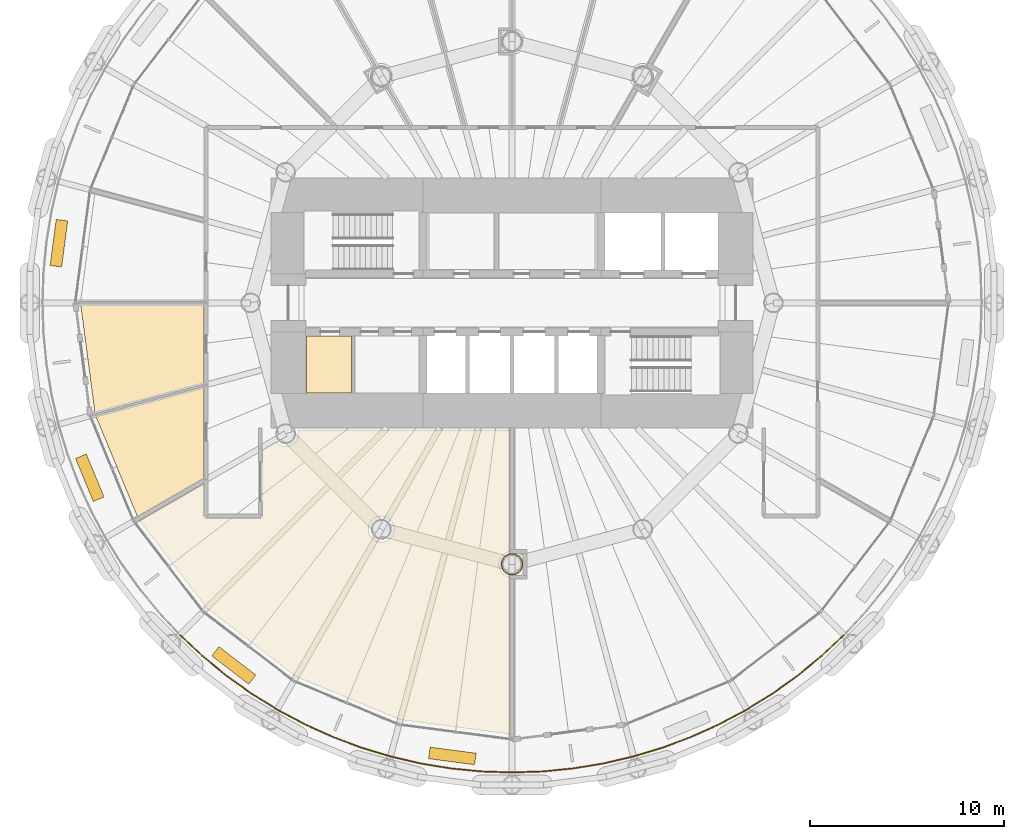
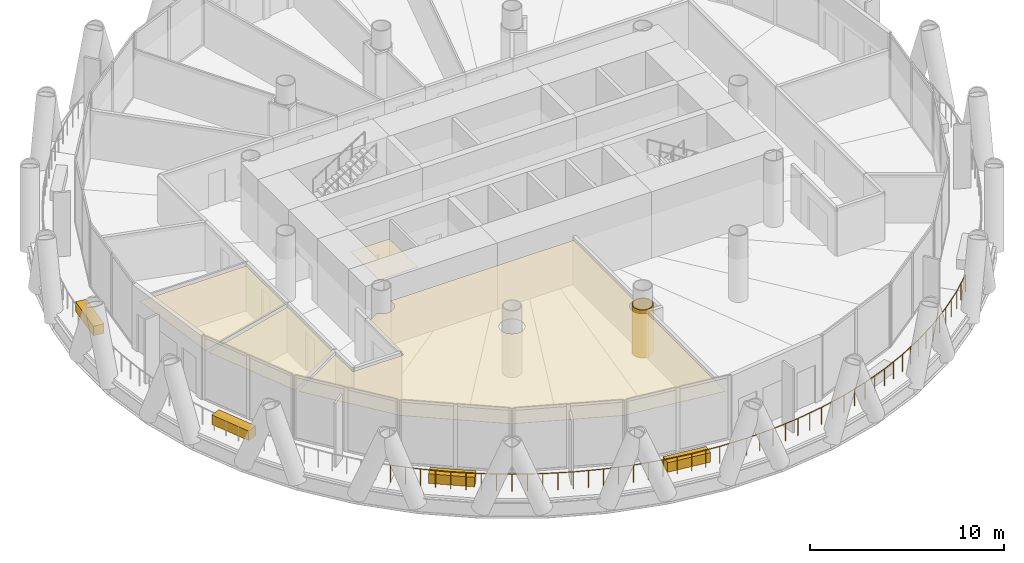
# One storey, part 13 of 16: 9 coverings, 1 railing.
"""IFC4 building model written with IfcOpenShell, lengths in metres."""

import ifcopenshell
import ifcopenshell.guid

model = None  # the IFC model being written
_history = None  # IfcOwnerHistory: only IFC2X3 demands one
_inside = {}  # id of a spatial element -> (the spatial element, [elements in it])
_under = {}  # id of a project, library or spatial element -> (it, [spatial elements below it])
_declared = {}  # id of a project -> (the project, [libraries it declares])
_typed = {}  # id of a type object -> (the type object, [elements of that type])
_made_of = {}  # id of a material, layer set ... -> (it, [elements and type objects made of it])


def new_model(schema):
    """Start an empty IFC model of exactly this schema.

    Asked for "IFC4X3", IfcOpenShell would pick the latest addendum, in which some entities
    have other attributes; the version numbers below select the first issue.
    IFC2X3 requires an IfcOwnerHistory on every rooted entity: one is made here for all.
    """
    global model, _history
    if schema == "IFC4X3":
        model = ifcopenshell.file(schema_version=(4, 3, 0, 0))
    else:
        model = ifcopenshell.file(schema=schema)
    _inside.clear()
    _under.clear()
    _declared.clear()
    _typed.clear()
    _made_of.clear()
    _history = None
    if model.schema == "IFC2X3":
        org = make("IfcOrganization", Name="unknown")
        user = make(
            "IfcPersonAndOrganization",
            ThePerson=make("IfcPerson", FamilyName="unknown"),
            TheOrganization=org,
        )
        app = make(
            "IfcApplication",
            ApplicationDeveloper=org,
            Version="unknown",
            ApplicationFullName="unknown",
            ApplicationIdentifier="unknown",
        )
        _history = make(
            "IfcOwnerHistory",
            OwningUser=user,
            OwningApplication=app,
            ChangeAction="ADDED",
            CreationDate=0,
        )
    return model


def make(cls, **values):
    """One entity of the class cls with the attributes given. An attribute that is None is left unset."""
    return model.create_entity(
        cls, **{name: value for name, value in values.items() if value is not None}
    )


def rooted(cls, **values):
    """An entity with a GlobalId (a new one), such as an element, a storey or a relation."""
    return make(cls, GlobalId=ifcopenshell.guid.new(), OwnerHistory=_history, **values)


def si_unit(unit_type, name, prefix=None):
    """IfcSIUnit, for example si_unit("LENGTHUNIT", "METRE", prefix="MILLI")."""
    return make("IfcSIUnit", UnitType=unit_type, Prefix=prefix, Name=name)


def assignment(units):
    """IfcUnitAssignment: the units of a project."""
    return None if units is None else make("IfcUnitAssignment", Units=units)


def point(xyz):
    """IfcCartesianPoint."""
    return None if xyz is None else make("IfcCartesianPoint", Coordinates=xyz)


def direction(xyz):
    """IfcDirection."""
    return None if xyz is None else make("IfcDirection", DirectionRatios=xyz)


def frame(location, z_axis=None, x_axis=None):
    """IfcAxis2Placement3D, a coordinate frame: its origin and axes. An axis left out is left unset."""
    return make(
        "IfcAxis2Placement3D",
        Location=point(location),
        Axis=direction(z_axis),
        RefDirection=direction(x_axis),
    )


def frame_2d(location, x_axis=None):
    """IfcAxis2Placement2D, a coordinate frame in the plane: its origin and x axis."""
    return make(
        "IfcAxis2Placement2D", Location=point(location), RefDirection=direction(x_axis)
    )


def origin():
    """The frame at (0, 0, 0) with its axes left unset."""
    return frame((0.0, 0.0, 0.0))


def origin_2d():
    """The frame at (0, 0) in the plane with its x axis left unset."""
    return frame_2d((0.0, 0.0))


def place(relative_to, where):
    """IfcLocalPlacement: puts the frame where relative to a parent placement (None: the world)."""
    return make(
        "IfcLocalPlacement", PlacementRelTo=relative_to, RelativePlacement=where
    )


def context(
    kind, dimensions, precision=None, world=None, true_north=None, identifier=None
):
    """IfcGeometricRepresentationContext, for example the 3D "Model" context."""
    return make(
        "IfcGeometricRepresentationContext",
        ContextIdentifier=identifier,
        ContextType=kind,
        CoordinateSpaceDimension=dimensions,
        Precision=precision,
        WorldCoordinateSystem=world,
        TrueNorth=true_north,
    )


def subcontext(parent, identifier, kind, view, scale=None):
    """IfcGeometricRepresentationSubContext, for example "Body" below "Model"."""
    return make(
        "IfcGeometricRepresentationSubContext",
        ContextIdentifier=identifier,
        ContextType=kind,
        ParentContext=parent,
        TargetScale=scale,
        TargetView=view,
    )


def project(units=None, contexts=None):
    """IfcProject with its units and contexts."""
    return rooted(
        "IfcProject",
        Name="project",
        RepresentationContexts=contexts,
        UnitsInContext=assignment(units),
    )


def spatial(cls, under=None, at=None, **own):
    """A site, building, storey or space (cls), placed at a placement, below another one or the project."""
    s = rooted(cls, ObjectPlacement=at, **own)
    if under is not None:
        _under.setdefault(under.id(), (under, []))[1].append(s)
    return s


def polyline(points):
    """IfcPolyline through the points."""
    return make("IfcPolyline", Points=[point(p) for p in points])


def profile(cls, at=None, kind="AREA", **sizes):
    """A parametric profile (cls). Its sizes go by their IFC names, for example OverallWidth=200.0."""
    return make(cls, ProfileType=kind, Position=at, **sizes)


def rectangle(**sizes):
    """IfcRectangleProfileDef."""
    return profile("IfcRectangleProfileDef", **sizes)


def circle(**sizes):
    """IfcCircleProfileDef."""
    return profile("IfcCircleProfileDef", **sizes)


def outline(outer, holes=None, kind="AREA"):
    """IfcArbitraryClosedProfileDef: a profile drawn as a closed curve; with holes, ...WithVoids."""
    if holes is None:
        return make("IfcArbitraryClosedProfileDef", ProfileType=kind, OuterCurve=outer)
    return make(
        "IfcArbitraryProfileDefWithVoids",
        ProfileType=kind,
        OuterCurve=outer,
        InnerCurves=holes,
    )


def extrude(swept, where, along, depth):
    """IfcExtrudedAreaSolid: the profile swept, set in the frame where, extruded along a direction by depth."""
    return make(
        "IfcExtrudedAreaSolid",
        SweptArea=swept,
        Position=where,
        ExtrudedDirection=direction(along),
        Depth=depth,
    )


def shape(context_of_items, identifier, shape_type, items):
    """IfcShapeRepresentation: the items that make up one representation, for example the "Body"."""
    return make(
        "IfcShapeRepresentation",
        ContextOfItems=context_of_items,
        RepresentationIdentifier=identifier,
        RepresentationType=shape_type,
        Items=items,
    )


def material(Name=None, Category=None):
    """IfcMaterial."""
    return make("IfcMaterial", Name=Name, Category=Category)


def layer(
    of_material, thickness, ventilated=None, Name=None, Category=None, Priority=None
):
    """IfcMaterialLayer: one layer of a wall or slab, of a material (None: an air gap)."""
    return make(
        "IfcMaterialLayer",
        Material=of_material,
        LayerThickness=thickness,
        IsVentilated=ventilated,
        Name=Name,
        Category=Category,
        Priority=Priority,
    )


def layer_set(layers, Name=None):
    """IfcMaterialLayerSet."""
    return make("IfcMaterialLayerSet", MaterialLayers=layers, LayerSetName=Name)


def made_of(thing, what):
    """Note that an element or type object is made of a material, layer set ...; save() writes the relation."""
    if what is not None:
        _made_of.setdefault(what.id(), (what, []))[1].append(thing)
    return thing


def type_object(cls, material=None, **own):
    """A type object (cls), such as IfcWallType, which elements share."""
    return made_of(rooted(cls, **own), material)


def element(
    cls,
    number,
    at=None,
    inside=None,
    cuts=None,
    type_object=None,
    material=None,
    context=None,
    identifier="Body",
    shape_type=None,
    held_by="IfcProductDefinitionShape",
    body=None,
    shapes=None,
    **own,
):
    """One element of the class cls, such as IfcWall. Its Tag is "e" and its number.

    at: its placement. inside: the storey or other place that contains it. cuts: it is an
    opening in that element (IfcRelVoidsElement). A single representation is given by context,
    identifier, shape_type and body (its items); several are given by shapes. held_by: the class
    of the entity that holds the representations. save() writes the other relations.
    """
    e = rooted(cls, Tag="e%d" % number, ObjectPlacement=at, **own)
    if body is not None:
        shapes = [shape(context, identifier, shape_type, body)]
    if shapes is not None:
        e.Representation = make(held_by, Representations=shapes)
    if inside is not None:
        _inside.setdefault(inside.id(), (inside, []))[1].append(e)
    if cuts is not None:
        rooted(
            "IfcRelVoidsElement", RelatingBuildingElement=cuts, RelatedOpeningElement=e
        )
    if type_object is not None:
        _typed.setdefault(type_object.id(), (type_object, []))[1].append(e)
    return made_of(e, material)


def aggregate(whole, parts):
    """IfcRelAggregates: a whole, such as a stair, and the parts it consists of."""
    return rooted("IfcRelAggregates", RelatingObject=whole, RelatedObjects=parts)


def save(model, path):
    """Write the relations noted so far, then the file.

    IfcRelAggregates (storeys below a building ...), IfcRelContainedInSpatialStructure (elements
    in a storey), IfcRelDefinesByType, IfcRelAssociatesMaterial and IfcRelDeclares: one each for
    every whole, place, type object, material and project.
    """
    for whole, parts in _under.values():
        aggregate(whole, parts)
    for where, things in _inside.values():
        rooted(
            "IfcRelContainedInSpatialStructure",
            RelatedElements=things,
            RelatingStructure=where,
        )
    for kind, things in _typed.values():
        rooted("IfcRelDefinesByType", RelatedObjects=things, RelatingType=kind)
    for what, things in _made_of.values():
        rooted("IfcRelAssociatesMaterial", RelatedObjects=things, RelatingMaterial=what)
    for by, libraries in _declared.values():
        rooted("IfcRelDeclares", RelatingContext=by, RelatedDefinitions=libraries)
    model.write(path)


model = new_model("IFC4")

# Units and contexts
model_context = context("Model", 3, precision=1e-05, world=origin(), true_north=direction((0.0, 1.0)))
body_context = subcontext(model_context, "Body", "Model", "MODEL_VIEW")
ifc_project = project(units=[si_unit("LENGTHUNIT", "METRE"), si_unit("AREAUNIT", "SQUARE_METRE"), si_unit("VOLUMEUNIT", "CUBIC_METRE"), si_unit("PLANEANGLEUNIT", "RADIAN"), si_unit("MASSUNIT", "GRAM", prefix="KILO")], contexts=[model_context])

# Site, building, storey
site_placement = place(None, origin())
site = spatial("IfcSite", under=ifc_project, at=site_placement, CompositionType="ELEMENT")
building_placement = place(site_placement, origin())
building = spatial("IfcBuilding", under=site, at=building_placement, Name="Qaws Media Tower", CompositionType="ELEMENT")
storey_placement = place(building_placement, frame((0.0, 0.0, 139.39990234375)))
storey = spatial("IfcBuildingStorey", under=building, at=storey_placement, Name="L31", CompositionType="ELEMENT", Elevation=139.39990234375)

# Railing
ifc_material_1 = material(Name="Stainless steel and glass guard", Category="steel")
railing_type = type_object("IfcRailingType", Name="Balcony guard 1100", PredefinedType="GUARDRAIL", material=ifc_material_1)
railing_placement = place(storey_placement, frame((42.8525390625, 32.8525390625, 0.0)))
element("IfcRailing", 1, at=railing_placement, inside=storey, type_object=railing_type, Name="GR1 balcony guard L31-3", PredefinedType="GUARDRAIL", context=body_context, shape_type="SweptSolid", body=[
    extrude(circle(Radius=0.02392578125, at=origin_2d()), frame((0.0, 0.0, 1.076171875), z_axis=(0.729882562506, -0.683572560121, 0.0), x_axis=(0.683572560121, 0.729882562506, 0.0)), (0.0, 0.0, 1.0), 1.5869140625),
    extrude(circle(Radius=0.02392578125, at=origin_2d()), frame((1.158203125, -1.084716796875, 1.076171875), z_axis=(0.773079173701, -0.634309538939, 0.0), x_axis=(0.634309538939, 0.773079173701, 0.0)), (0.0, 0.0, 1.0), 1.5869140625),
    extrude(circle(Radius=0.02392578125, at=origin_2d()), frame((2.385009765625, -2.09130859375, 1.076171875), z_axis=(0.812828054715, -0.582503693952, 0.0), x_axis=(0.582503693952, 0.812828054715, 0.0)), (0.0, 0.0, 1.0), 1.5869140625),
    extrude(circle(Radius=0.02392578125, at=origin_2d()), frame((3.6748046875, -3.015625, 1.076171875), z_axis=(0.849171590565, -0.528117041741, 0.0), x_axis=(0.528117041741, 0.849171590565, 0.0)), (0.0, 0.0, 1.0), 1.5869140625),
    extrude(circle(Radius=0.02392578125, at=origin_2d()), frame((5.0224609375, -3.853759765625, 1.076171875), z_axis=(0.881909611874, -0.471418536424, 0.0), x_axis=(0.471418536424, 0.881909611874, 0.0)), (0.0, 0.0, 1.0), 1.5869140625),
    extrude(circle(Radius=0.02392578125, at=origin_2d()), frame((6.421875, -4.601806640625, 1.076171875), z_axis=(0.910908362368, -0.412608719451, 0.0), x_axis=(0.412608719451, 0.910908362368, 0.0)), (0.0, 0.0, 1.0), 1.5869140625),
    extrude(circle(Radius=0.02392578125, at=origin_2d()), frame((7.867431640625, -5.256591796875, 1.076171875), z_axis=(0.935879502762, -0.352320246807, 0.0), x_axis=(0.352320246807, 0.935879502762, 0.0)), (0.0, 0.0, 1.0), 1.5869140625),
    extrude(circle(Radius=0.02392578125, at=origin_2d()), frame((9.3525390625, -5.815673828125, 1.076171875), z_axis=(0.956975219337, -0.290169656538, 0.0), x_axis=(0.290169656538, 0.956975219337, 0.0)), (0.0, 0.0, 1.0), 1.5869140625),
    extrude(circle(Radius=0.02392578125, at=origin_2d()), frame((10.87109375, -6.276123046875, 1.076171875), z_axis=(0.973875243761, -0.227083706128, 0.0), x_axis=(0.227083706128, 0.973875243761, 0.0)), (0.0, 0.0, 1.0), 1.5869140625),
    extrude(circle(Radius=0.02392578125, at=origin_2d()), frame((12.41650390625, -6.636474609375, 1.076171875), z_axis=(0.986638153451, -0.162926836817, 0.0), x_axis=(0.162926836817, 0.986638153451, 0.0)), (0.0, 0.0, 1.0), 1.5869140625),
    extrude(circle(Radius=0.02392578125, at=origin_2d()), frame((13.982177734375, -6.89501953125, 1.076171875), z_axis=(0.995186840651, -0.097995674369, 0.0), x_axis=(0.097995674369, 0.995186840651, 0.0)), (0.0, 0.0, 1.0), 1.5869140625),
    extrude(circle(Radius=0.02392578125, at=origin_2d()), frame((15.5615234375, -7.050537109375, 1.076171875), z_axis=(0.999462860422, -0.032771796378, 0.0), x_axis=(0.032771796378, 0.999462860422, 0.0)), (0.0, 0.0, 1.0), 1.586669921875),
    extrude(circle(Radius=0.02392578125, at=origin_2d()), frame((17.1474609375, -7.1025390625, 1.076171875), z_axis=(0.999462860422, 0.032771796378, 0.0), x_axis=(-0.032771796378, 0.999462860422, 0.0)), (0.0, 0.0, 1.0), 1.586669921875),
    extrude(circle(Radius=0.02392578125, at=origin_2d()), frame((18.7333984375, -7.050537109375, 1.076171875), z_axis=(0.995186840651, 0.097995674369, 0.0), x_axis=(-0.097995674369, 0.995186840651, 0.0)), (0.0, 0.0, 1.0), 1.5869140625),
    extrude(circle(Radius=0.02392578125, at=origin_2d()), frame((20.312744140625, -6.89501953125, 1.076171875), z_axis=(0.986638153451, 0.162926836817, 0.0), x_axis=(-0.162926836817, 0.986638153451, 0.0)), (0.0, 0.0, 1.0), 1.5869140625),
    extrude(circle(Radius=0.02392578125, at=origin_2d()), frame((21.87841796875, -6.636474609375, 1.076171875), z_axis=(0.973875243761, 0.227083706128, 0.0), x_axis=(-0.227083706128, 0.973875243761, 0.0)), (0.0, 0.0, 1.0), 1.5869140625),
    extrude(circle(Radius=0.02392578125, at=origin_2d()), frame((23.423828125, -6.276123046875, 1.076171875), z_axis=(0.956975219337, 0.290169656538, 0.0), x_axis=(-0.290169656538, 0.956975219337, 0.0)), (0.0, 0.0, 1.0), 1.5869140625),
    extrude(circle(Radius=0.02392578125, at=origin_2d()), frame((24.9423828125, -5.815673828125, 1.076171875), z_axis=(0.935879502762, 0.352320246807, 0.0), x_axis=(-0.352320246807, 0.935879502762, 0.0)), (0.0, 0.0, 1.0), 1.5869140625),
    extrude(circle(Radius=0.02392578125, at=origin_2d()), frame((26.427490234375, -5.256591796875, 1.076171875), z_axis=(0.910908362368, 0.412608719451, 0.0), x_axis=(-0.412608719451, 0.910908362368, 0.0)), (0.0, 0.0, 1.0), 1.5869140625),
    extrude(circle(Radius=0.02392578125, at=origin_2d()), frame((27.873046875, -4.601806640625, 1.076171875), z_axis=(0.881909611874, 0.471418536424, 0.0), x_axis=(-0.471418536424, 0.881909611874, 0.0)), (0.0, 0.0, 1.0), 1.5869140625),
    extrude(circle(Radius=0.02392578125, at=origin_2d()), frame((29.2724609375, -3.853759765625, 1.076171875), z_axis=(0.849171590565, 0.528117041741, 0.0), x_axis=(-0.528117041741, 0.849171590565, 0.0)), (0.0, 0.0, 1.0), 1.5869140625),
    extrude(circle(Radius=0.02392578125, at=origin_2d()), frame((30.6201171875, -3.015625, 1.076171875), z_axis=(0.812828054715, 0.582503693952, 0.0), x_axis=(-0.582503693952, 0.812828054715, 0.0)), (0.0, 0.0, 1.0), 1.5869140625),
    extrude(circle(Radius=0.02392578125, at=origin_2d()), frame((31.909912109375, -2.09130859375, 1.076171875), z_axis=(0.773079173701, 0.634309538939, 0.0), x_axis=(-0.634309538939, 0.773079173701, 0.0)), (0.0, 0.0, 1.0), 1.5869140625),
    extrude(circle(Radius=0.02392578125, at=origin_2d()), frame((33.13671875, -1.084716796875, 1.076171875), z_axis=(0.729882562506, 0.683572560121, 0.0), x_axis=(-0.683572560121, 0.729882562506, 0.0)), (0.0, 0.0, 1.0), 1.5869140625),
    extrude(circle(Radius=0.02099609375, at=origin_2d()), origin(), (0.0, 0.0, 1.0), 1.052001953125),
    extrude(circle(Radius=0.02099609375, at=origin_2d()), frame((0.5791015625, -0.54248046875, 0.0)), (0.0, 0.0, 1.0), 1.052001953125),
    extrude(circle(Radius=0.02099609375, at=origin_2d()), frame((1.158203125, -1.084716796875, 0.0)), (0.0, 0.0, 1.0), 1.052001953125),
    extrude(circle(Radius=0.02099609375, at=origin_2d()), frame((1.771484375, -1.587890625, 0.0)), (0.0, 0.0, 1.0), 1.052001953125),
    extrude(circle(Radius=0.02099609375, at=origin_2d()), frame((2.385009765625, -2.09130859375, 0.0)), (0.0, 0.0, 1.0), 1.052001953125),
    extrude(circle(Radius=0.02099609375, at=origin_2d()), frame((3.02978515625, -2.553466796875, 0.0)), (0.0, 0.0, 1.0), 1.052001953125),
    extrude(circle(Radius=0.02099609375, at=origin_2d()), frame((3.6748046875, -3.015625, 0.0)), (0.0, 0.0, 1.0), 1.052001953125),
    extrude(circle(Radius=0.02099609375, at=origin_2d()), frame((4.3486328125, -3.4345703125, 0.0)), (0.0, 0.0, 1.0), 1.052001953125),
    extrude(circle(Radius=0.02099609375, at=origin_2d()), frame((5.0224609375, -3.853759765625, 0.0)), (0.0, 0.0, 1.0), 1.052001953125),
    extrude(circle(Radius=0.02099609375, at=origin_2d()), frame((5.72216796875, -4.227783203125, 0.0)), (0.0, 0.0, 1.0), 1.052001953125),
    extrude(circle(Radius=0.02099609375, at=origin_2d()), frame((6.421875, -4.601806640625, 0.0)), (0.0, 0.0, 1.0), 1.052001953125),
    extrude(circle(Radius=0.02099609375, at=origin_2d()), frame((7.14453125, -4.92919921875, 0.0)), (0.0, 0.0, 1.0), 1.052001953125),
    extrude(circle(Radius=0.02099609375, at=origin_2d()), frame((7.867431640625, -5.256591796875, 0.0)), (0.0, 0.0, 1.0), 1.052001953125),
    extrude(circle(Radius=0.02099609375, at=origin_2d()), frame((8.60986328125, -5.5361328125, 0.0)), (0.0, 0.0, 1.0), 1.052001953125),
    extrude(circle(Radius=0.02099609375, at=origin_2d()), frame((9.3525390625, -5.815673828125, 0.0)), (0.0, 0.0, 1.0), 1.052001953125),
    extrude(circle(Radius=0.02099609375, at=origin_2d()), frame((10.11181640625, -6.0458984375, 0.0)), (0.0, 0.0, 1.0), 1.052001953125),
    extrude(circle(Radius=0.02099609375, at=origin_2d()), frame((10.87109375, -6.276123046875, 0.0)), (0.0, 0.0, 1.0), 1.052001953125),
    extrude(circle(Radius=0.02099609375, at=origin_2d()), frame((11.643798828125, -6.456298828125, 0.0)), (0.0, 0.0, 1.0), 1.052001953125),
    extrude(circle(Radius=0.02099609375, at=origin_2d()), frame((12.41650390625, -6.636474609375, 0.0)), (0.0, 0.0, 1.0), 1.052001953125),
    extrude(circle(Radius=0.02099609375, at=origin_2d()), frame((13.19921875, -6.765625, 0.0)), (0.0, 0.0, 1.0), 1.052001953125),
    extrude(circle(Radius=0.02099609375, at=origin_2d()), frame((13.982177734375, -6.89501953125, 0.0)), (0.0, 0.0, 1.0), 1.052001953125),
    extrude(circle(Radius=0.02099609375, at=origin_2d()), frame((14.77197265625, -6.97265625, 0.0)), (0.0, 0.0, 1.0), 1.052001953125),
    extrude(circle(Radius=0.02099609375, at=origin_2d()), frame((15.5615234375, -7.050537109375, 0.0)), (0.0, 0.0, 1.0), 1.052001953125),
    extrude(circle(Radius=0.02099609375, at=origin_2d()), frame((16.3544921875, -7.07666015625, 0.0)), (0.0, 0.0, 1.0), 1.052001953125),
    extrude(circle(Radius=0.02099609375, at=origin_2d()), frame((17.1474609375, -7.1025390625, 0.0)), (0.0, 0.0, 1.0), 1.052001953125),
    extrude(circle(Radius=0.02099609375, at=origin_2d()), frame((17.9404296875, -7.07666015625, 0.0)), (0.0, 0.0, 1.0), 1.052001953125),
    extrude(circle(Radius=0.02099609375, at=origin_2d()), frame((18.7333984375, -7.050537109375, 0.0)), (0.0, 0.0, 1.0), 1.052001953125),
    extrude(circle(Radius=0.02099609375, at=origin_2d()), frame((19.52294921875, -6.97265625, 0.0)), (0.0, 0.0, 1.0), 1.052001953125),
    extrude(circle(Radius=0.02099609375, at=origin_2d()), frame((20.312744140625, -6.89501953125, 0.0)), (0.0, 0.0, 1.0), 1.052001953125),
    extrude(circle(Radius=0.02099609375, at=origin_2d()), frame((21.095703125, -6.765625, 0.0)), (0.0, 0.0, 1.0), 1.052001953125),
    extrude(circle(Radius=0.02099609375, at=origin_2d()), frame((21.87841796875, -6.636474609375, 0.0)), (0.0, 0.0, 1.0), 1.052001953125),
    extrude(circle(Radius=0.02099609375, at=origin_2d()), frame((22.651123046875, -6.456298828125, 0.0)), (0.0, 0.0, 1.0), 1.052001953125),
    extrude(circle(Radius=0.02099609375, at=origin_2d()), frame((23.423828125, -6.276123046875, 0.0)), (0.0, 0.0, 1.0), 1.052001953125),
    extrude(circle(Radius=0.02099609375, at=origin_2d()), frame((24.18310546875, -6.0458984375, 0.0)), (0.0, 0.0, 1.0), 1.052001953125),
    extrude(circle(Radius=0.02099609375, at=origin_2d()), frame((24.9423828125, -5.815673828125, 0.0)), (0.0, 0.0, 1.0), 1.052001953125),
    extrude(circle(Radius=0.02099609375, at=origin_2d()), frame((25.68505859375, -5.5361328125, 0.0)), (0.0, 0.0, 1.0), 1.052001953125),
    extrude(circle(Radius=0.02099609375, at=origin_2d()), frame((26.427490234375, -5.256591796875, 0.0)), (0.0, 0.0, 1.0), 1.052001953125),
    extrude(circle(Radius=0.02099609375, at=origin_2d()), frame((27.150390625, -4.92919921875, 0.0)), (0.0, 0.0, 1.0), 1.052001953125),
    extrude(circle(Radius=0.02099609375, at=origin_2d()), frame((27.873046875, -4.601806640625, 0.0)), (0.0, 0.0, 1.0), 1.052001953125),
    extrude(circle(Radius=0.02099609375, at=origin_2d()), frame((28.57275390625, -4.227783203125, 0.0)), (0.0, 0.0, 1.0), 1.052001953125),
    extrude(circle(Radius=0.02099609375, at=origin_2d()), frame((29.2724609375, -3.853759765625, 0.0)), (0.0, 0.0, 1.0), 1.052001953125),
    extrude(circle(Radius=0.02099609375, at=origin_2d()), frame((29.9462890625, -3.4345703125, 0.0)), (0.0, 0.0, 1.0), 1.052001953125),
    extrude(circle(Radius=0.02099609375, at=origin_2d()), frame((30.6201171875, -3.015625, 0.0)), (0.0, 0.0, 1.0), 1.052001953125),
    extrude(circle(Radius=0.02099609375, at=origin_2d()), frame((31.26513671875, -2.553466796875, 0.0)), (0.0, 0.0, 1.0), 1.052001953125),
    extrude(circle(Radius=0.02099609375, at=origin_2d()), frame((31.909912109375, -2.09130859375, 0.0)), (0.0, 0.0, 1.0), 1.052001953125),
    extrude(circle(Radius=0.02099609375, at=origin_2d()), frame((32.5234375, -1.587890625, 0.0)), (0.0, 0.0, 1.0), 1.052001953125),
    extrude(circle(Radius=0.02099609375, at=origin_2d()), frame((33.13671875, -1.084716796875, 0.0)), (0.0, 0.0, 1.0), 1.052001953125),
    extrude(circle(Radius=0.02099609375, at=origin_2d()), frame((33.7158203125, -0.54248046875, 0.0)), (0.0, 0.0, 1.0), 1.052001953125),
    extrude(circle(Radius=0.02099609375, at=origin_2d()), frame((34.294921875, 0.0, 0.0)), (0.0, 0.0, 1.0), 1.052001953125),
])

# Coverings
ifc_material_2 = material(Name="Two layers 15 fire-rated gypsum board on steel framing", Category="steel")
ifc_layer_1 = layer(ifc_material_2, 0.050048828125)
ifc_layer_set_1 = layer_set([ifc_layer_1], Name="Column fire casing")
covering_type_1 = type_object("IfcCoveringType", Name="Column fire casing", PredefinedType="CLADDING", material=ifc_layer_set_1)
covering_1_placement = place(storey_placement, origin())
element("IfcCovering", 2, at=covering_1_placement, inside=storey, type_object=covering_type_1, Name="CC1 column casing L31", PredefinedType="CLADDING", context=body_context, shape_type="SweptSolid", body=[
    extrude(outline(polyline([(60.56298828125, 36.5), (60.55810546875, 36.426513671875), (60.543701171875, 36.354248046875), (60.52001953125, 36.284423828125), (60.487548828125, 36.218505859375), (60.44677734375, 36.1572265625), (60.398193359375, 36.101806640625), (60.3427734375, 36.05322265625), (60.281494140625, 36.012451171875), (60.215576171875, 35.97998046875), (60.145751953125, 35.956298828125), (60.073486328125, 35.94189453125), (60.0, 35.93701171875), (59.926513671875, 35.94189453125), (59.854248046875, 35.956298828125), (59.784423828125, 35.97998046875), (59.718505859375, 36.012451171875), (59.6572265625, 36.05322265625), (59.601806640625, 36.101806640625), (59.55322265625, 36.1572265625), (59.512451171875, 36.218505859375), (59.47998046875, 36.284423828125), (59.456298828125, 36.354248046875), (59.44189453125, 36.426513671875), (59.43701171875, 36.5), (59.44189453125, 36.573486328125), (59.456298828125, 36.645751953125), (59.47998046875, 36.715576171875), (59.512451171875, 36.781494140625), (59.55322265625, 36.8427734375), (59.601806640625, 36.898193359375), (59.6572265625, 36.94677734375), (59.718505859375, 36.987548828125), (59.784423828125, 37.02001953125), (59.854248046875, 37.043701171875), (59.926513671875, 37.05810546875), (60.0, 37.06298828125), (60.073486328125, 37.05810546875), (60.145751953125, 37.043701171875), (60.215576171875, 37.02001953125), (60.281494140625, 36.987548828125), (60.3427734375, 36.94677734375), (60.398193359375, 36.898193359375), (60.44677734375, 36.8427734375), (60.487548828125, 36.781494140625), (60.52001953125, 36.715576171875), (60.543701171875, 36.645751953125), (60.55810546875, 36.573486328125), (60.56298828125, 36.5)]), holes=[polyline([(60.510986328125, 36.5), (60.506591796875, 36.433349609375), (60.49365234375, 36.36767578125), (60.47216796875, 36.304443359375), (60.4423828125, 36.244384765625), (60.405517578125, 36.18896484375), (60.361328125, 36.138671875), (60.31103515625, 36.094482421875), (60.255615234375, 36.0576171875), (60.195556640625, 36.02783203125), (60.13232421875, 36.00634765625), (60.066650390625, 35.993408203125), (60.0, 35.989013671875), (59.933349609375, 35.993408203125), (59.86767578125, 36.00634765625), (59.804443359375, 36.02783203125), (59.744384765625, 36.0576171875), (59.68896484375, 36.094482421875), (59.638671875, 36.138671875), (59.594482421875, 36.18896484375), (59.5576171875, 36.244384765625), (59.52783203125, 36.304443359375), (59.50634765625, 36.36767578125), (59.493408203125, 36.433349609375), (59.489013671875, 36.5), (59.493408203125, 36.566650390625), (59.50634765625, 36.63232421875), (59.52783203125, 36.695556640625), (59.5576171875, 36.755615234375), (59.594482421875, 36.81103515625), (59.638671875, 36.861328125), (59.68896484375, 36.905517578125), (59.744384765625, 36.9423828125), (59.804443359375, 36.97216796875), (59.86767578125, 36.99365234375), (59.933349609375, 37.006591796875), (60.0, 37.010986328125), (60.066650390625, 37.006591796875), (60.13232421875, 36.99365234375), (60.195556640625, 36.97216796875), (60.255615234375, 36.9423828125), (60.31103515625, 36.905517578125), (60.361328125, 36.861328125), (60.405517578125, 36.81103515625), (60.4423828125, 36.755615234375), (60.47216796875, 36.695556640625), (60.49365234375, 36.63232421875), (60.506591796875, 36.566650390625), (60.510986328125, 36.5)])]), origin(), (0.0, 0.0, 1.0), 3.02001953125),
])
ifc_material_3 = material(Name="600 x 600 mineral fibre tiles in exposed grid, suspended", Category="mineral fibre")
ifc_layer_2 = layer(ifc_material_3, 0.02001953125)
ifc_layer_set_2 = layer_set([ifc_layer_2], Name="Mineral fibre tile ceiling 20")
covering_type_2 = type_object("IfcCoveringType", Name="Mineral fibre tile ceiling 20", PredefinedType="CEILING", material=ifc_layer_set_2)
covering_2_placement = place(storey_placement, frame((0.0, 0.0, 2.85009765625)))
element("IfcCovering", 3, at=covering_2_placement, inside=storey, type_object=covering_type_2, Name="CL1 ceiling L31-10 Office", PredefinedType="CEILING", context=body_context, shape_type="SweptSolid", body=[
    extrude(outline(polyline([(37.7294921875, 49.887451171875), (44.08740234375, 49.887451171875), (44.08740234375, 45.852783203125), (38.459228515625, 44.3447265625), (37.7294921875, 49.887451171875)])), origin(), (0.0, 0.0, 1.0), 0.02001953125),
])
covering_3_placement = place(storey_placement, frame((0.0, 0.0, 2.85009765625)))
element("IfcCovering", 4, at=covering_3_placement, inside=storey, type_object=covering_type_2, Name="CL1 ceiling L31-11 Office", PredefinedType="CEILING", context=body_context, shape_type="SweptSolid", body=[
    extrude(outline(polyline([(38.517578125, 44.127197265625), (44.08740234375, 45.619873046875), (44.08740234375, 40.94287109375), (40.656982421875, 38.962158203125), (38.517578125, 44.127197265625)])), origin(), (0.0, 0.0, 1.0), 0.02001953125),
])
covering_4_placement = place(storey_placement, frame((0.0, 0.0, 2.85009765625)))
element("IfcCovering", 5, at=covering_4_placement, inside=storey, type_object=covering_type_2, Name="CL1 ceiling L31-12 Paralegal office", PredefinedType="CEILING", context=body_context, shape_type="SweptSolid", body=[
    extrude(outline(polyline([(54.232177734375, 28.47412109375), (48.857421875, 30.700439453125), (44.241943359375, 34.241943359375), (40.76953125, 38.767333984375), (44.08740234375, 40.68310546875), (44.08740234375, 38.887451171875), (47.112548828125, 38.887451171875), (47.112548828125, 42.429443359375), (47.795654296875, 42.823974609375), (47.836181640625, 42.777587890625), (47.902099609375, 42.719970703125), (47.974609375, 42.67138671875), (48.052978515625, 42.6328125), (48.1357421875, 42.604736328125), (48.221435546875, 42.587646484375), (48.30859375, 42.58203125), (48.395751953125, 42.587646484375), (48.4814453125, 42.604736328125), (48.564208984375, 42.6328125), (48.642578125, 42.67138671875), (48.71533203125, 42.719970703125), (48.781005859375, 42.777587890625), (48.838623046875, 42.84326171875), (48.88720703125, 42.916015625), (48.92578125, 42.994384765625), (48.953857421875, 43.0771484375), (48.970947265625, 43.162841796875), (48.976806640625, 43.25), (48.970947265625, 43.337158203125), (48.953857421875, 43.4228515625), (48.948974609375, 43.4375), (59.887451171875, 43.4375), (59.887451171875, 37.1572265625), (59.8271484375, 37.145263671875), (59.744384765625, 37.1171875), (59.666015625, 37.07861328125), (59.59326171875, 37.030029296875), (59.527587890625, 36.972412109375), (59.469970703125, 36.90673828125), (59.42138671875, 36.833984375), (59.3828125, 36.755615234375), (59.354736328125, 36.6728515625), (59.337646484375, 36.587158203125), (59.33203125, 36.5), (59.337646484375, 36.412841796875), (59.354736328125, 36.3271484375), (59.3828125, 36.244384765625), (59.42138671875, 36.166015625), (59.469970703125, 36.09326171875), (59.527587890625, 36.027587890625), (59.59326171875, 35.969970703125), (59.666015625, 35.92138671875), (59.744384765625, 35.8828125), (59.8271484375, 35.854736328125), (59.887451171875, 35.8427734375), (59.887451171875, 27.7294921875), (54.232177734375, 28.47412109375)]), holes=[polyline([(53.895263671875, 38.1357421875), (53.912353515625, 38.221435546875), (53.91796875, 38.30859375), (53.912353515625, 38.395751953125), (53.895263671875, 38.4814453125), (53.8671875, 38.564208984375), (53.82861328125, 38.642578125), (53.780029296875, 38.71533203125), (53.722412109375, 38.781005859375), (53.65673828125, 38.838623046875), (53.583984375, 38.88720703125), (53.505615234375, 38.92578125), (53.4228515625, 38.953857421875), (53.337158203125, 38.970947265625), (53.25, 38.976806640625), (53.162841796875, 38.970947265625), (53.0771484375, 38.953857421875), (52.994384765625, 38.92578125), (52.916015625, 38.88720703125), (52.84326171875, 38.838623046875), (52.777587890625, 38.781005859375), (52.719970703125, 38.71533203125), (52.67138671875, 38.642578125), (52.6328125, 38.564208984375), (52.604736328125, 38.4814453125), (52.587646484375, 38.395751953125), (52.58203125, 38.30859375), (52.587646484375, 38.221435546875), (52.604736328125, 38.1357421875), (52.6328125, 38.052978515625), (52.67138671875, 37.974609375), (52.719970703125, 37.902099609375), (52.777587890625, 37.836181640625), (52.84326171875, 37.77880859375), (52.916015625, 37.730224609375), (52.994384765625, 37.69140625), (53.0771484375, 37.663330078125), (53.162841796875, 37.646484375), (53.25, 37.640625), (53.337158203125, 37.646484375), (53.4228515625, 37.663330078125), (53.505615234375, 37.69140625), (53.583984375, 37.730224609375), (53.65673828125, 37.77880859375), (53.722412109375, 37.836181640625), (53.780029296875, 37.902099609375), (53.82861328125, 37.974609375), (53.8671875, 38.052978515625), (53.895263671875, 38.1357421875)])]), origin(), (0.0, 0.0, 1.0), 0.02001953125),
])
ifc_material_4 = material(Name="Precast concrete planter with trailing planting", Category="concrete")
ifc_layer_3 = layer(ifc_material_4, 0.60009765625)
ifc_layer_set_3 = layer_set([ifc_layer_3], Name="Planter 2400x600")
covering_type_3 = type_object("IfcCoveringType", Name="Planter 2400x600", PredefinedType="USERDEFINED", material=ifc_layer_set_3)
for number, where, z_axis, x_axis, name in (
    (6, (36.601806640625, 53.080322265625, 0.0), (0.0, 0.0, 1.0), (-0.13052619222, -0.991444861374, 0.0), "PL1 balcony planter L31-06"),
    (7, (38.196533203125, 40.96875, 0.0), (0.0, 0.0, 1.0), (0.382683432365, -0.923879532511, 0.0), "PL1 balcony planter L31-07"),
    (8, (45.63330078125, 31.27685546875, 0.0), (0.0, 0.0, 1.0), (0.793353340291, -0.608761429009, 0.0), "PL1 balcony planter L31-08"),
    (9, (56.919677734375, 26.601806640625, 0.0), (0.0, 0.0, 1.0), (0.991444861374, -0.13052619222, 0.0), "PL1 balcony planter L31-09"),
):
    element("IfcCovering", number, at=place(storey_placement, frame(where, z_axis=z_axis, x_axis=x_axis)), inside=storey, type_object=covering_type_3, Name=name, ObjectType="PLANTER", PredefinedType="USERDEFINED", context=body_context, shape_type="SweptSolid", body=[
        extrude(rectangle(XDim=2.39990234375, YDim=0.60009765625, at=origin_2d()), origin(), (0.0, 0.0, 1.0), 0.60009765625),
    ])
ifc_material_5 = material(Name="Two layers 12.5 moisture-resistant plasterboard on suspended metal furring", Category="gypsum")
ifc_layer_4 = layer(ifc_material_5, 0.02490234375)
ifc_layer_set_4 = layer_set([ifc_layer_4], Name="Plasterboard ceiling 25")
covering_type_4 = type_object("IfcCoveringType", Name="Plasterboard ceiling 25", PredefinedType="CEILING", material=ifc_layer_set_4)
covering_5_placement = place(storey_placement, frame((0.0, 0.0, 2.85009765625)))
element("IfcCovering", 10, at=covering_5_placement, inside=storey, type_object=covering_type_4, Name="CL2 ceiling L31-C04 Accessible WC", PredefinedType="CEILING", context=body_context, shape_type="SweptSolid", body=[
    extrude(outline(polyline([(49.39990234375, 45.35009765625), (49.39990234375, 48.300048828125), (51.699951171875, 48.300048828125), (51.699951171875, 45.35009765625), (49.39990234375, 45.35009765625)])), origin(), (0.0, 0.0, 1.0), 0.02490234375),
])

save(model, "model.ifc")
